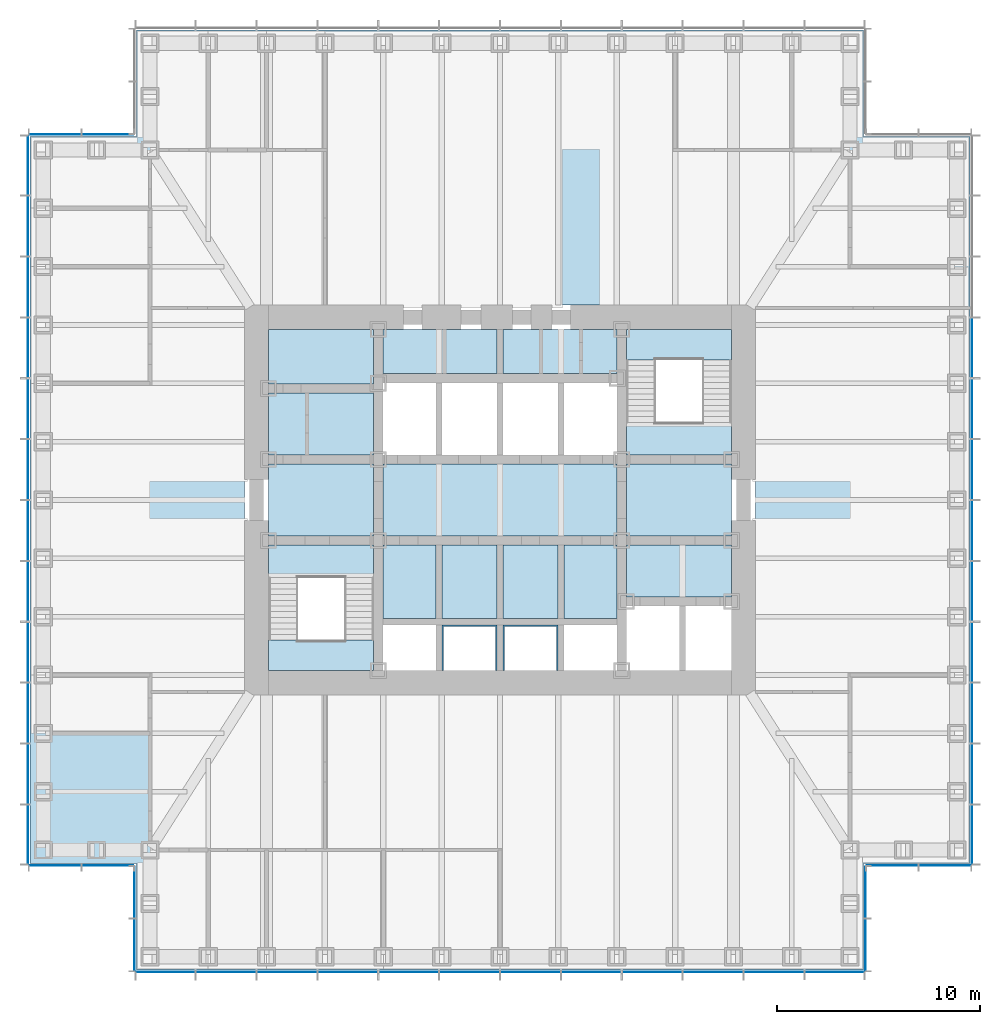
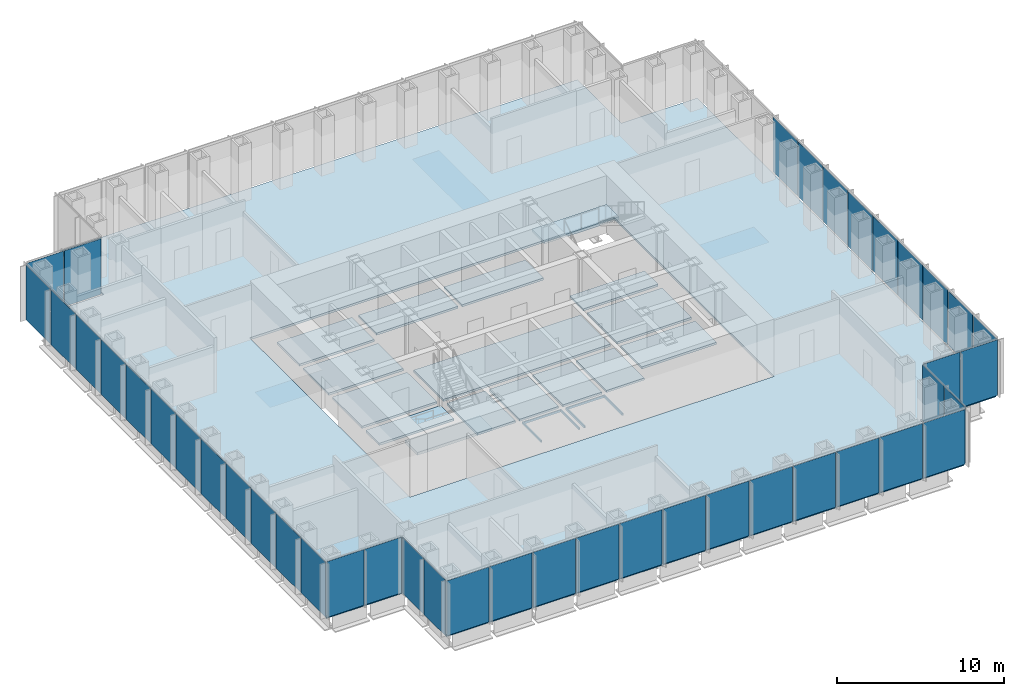
# One storey, part 7 of 17: 43 plates, 19 slabs, 10 elements without a shape of their own.
"""IFC4 building model written with IfcOpenShell, lengths in metres."""

from ifc_helpers import new_model, si_unit, direction, frame, origin, origin_2d, place, context, subcontext, project, spatial, polyline, rectangle, outline, extrude, material, layer, layer_set, type_object, element, aggregate, save


model = new_model("IFC4")

# Units and contexts
model_context = context("Model", 3, precision=1e-05, world=origin(), true_north=direction((0.0, 1.0)))
body_context = subcontext(model_context, "Body", "Model", "MODEL_VIEW")
ifc_project = project(units=[si_unit("LENGTHUNIT", "METRE"), si_unit("AREAUNIT", "SQUARE_METRE"), si_unit("VOLUMEUNIT", "CUBIC_METRE"), si_unit("PLANEANGLEUNIT", "RADIAN"), si_unit("MASSUNIT", "GRAM", prefix="KILO")], contexts=[model_context])

# Site, building, storey
site_placement = place(None, origin())
site = spatial("IfcSite", under=ifc_project, at=site_placement, CompositionType="ELEMENT")
building_placement = place(site_placement, origin())
building = spatial("IfcBuilding", under=site, at=building_placement, Name="Daluyong Arena Tower", CompositionType="ELEMENT")
storey_placement = place(building_placement, frame((0.0, 0.0, 158.5)))
storey = spatial("IfcBuildingStorey", under=building, at=storey_placement, Name="L35", CompositionType="ELEMENT", Elevation=158.5)

# Curtain wall, plates
ifc_material_1 = material(Name="Bronze anodised aluminium and glass", Category="aluminium")
curtain_wall_type_1 = type_object("IfcCurtainWallType", Name="Curtain wall CW2", PredefinedType="USERDEFINED", material=ifc_material_1)
curtain_wall_1_placement = place(storey_placement, origin())
curtain_wall_1 = element("IfcCurtainWall", 1, at=curtain_wall_1_placement, inside=storey, type_object=curtain_wall_type_1, Name="curtain wall L35 S", ObjectType="UNITISED CURTAIN WALL", PredefinedType="USERDEFINED")
ifc_material_2 = material(Name="Tinted double glazed unit", Category="glass")
ifc_layer_1 = layer(ifc_material_2, 0.031982421875)
ifc_layer_set_1 = layer_set([ifc_layer_1], Name="Tinted double glazed unit")
plate_type_1 = type_object("IfcPlateType", Name="CW2 panel 32", PredefinedType="CURTAIN_PANEL", material=ifc_layer_set_1)
plate_1_placement = place(storey_placement, frame((39.52001953125, 56.75, 0.0), z_axis=(0.0, 0.0, 1.0), x_axis=(1.0, 0.0, 0.0)))
plate_1 = element("IfcPlate", 2, at=plate_1_placement, type_object=plate_type_1, Name="curtain wall L35 S panel 1", PredefinedType="CURTAIN_PANEL", context=body_context, shape_type="SweptSolid", body=[
    extrude(rectangle(XDim=2.8798828125, YDim=0.031982421875, at=origin_2d()), origin(), (0.0, 0.0, 1.0), 4.02001953125),
])
plate_2_placement = place(storey_placement, frame((42.5, 56.75, 0.0), z_axis=(0.0, 0.0, 1.0), x_axis=(1.0, 0.0, 0.0)))
plate_2 = element("IfcPlate", 3, at=plate_2_placement, type_object=plate_type_1, Name="curtain wall L35 S panel 2", PredefinedType="CURTAIN_PANEL", context=body_context, shape_type="SweptSolid", body=[
    extrude(rectangle(XDim=2.919921875, YDim=0.031982421875, at=origin_2d()), origin(), (0.0, 0.0, 1.0), 4.02001953125),
])
plate_3_placement = place(storey_placement, frame((45.5, 56.75, 0.0), z_axis=(0.0, 0.0, 1.0), x_axis=(1.0, 0.0, 0.0)))
plate_3 = element("IfcPlate", 4, at=plate_3_placement, type_object=plate_type_1, Name="curtain wall L35 S panel 3", PredefinedType="CURTAIN_PANEL", context=body_context, shape_type="SweptSolid", body=[
    extrude(rectangle(XDim=2.919921875, YDim=0.031982421875, at=origin_2d()), origin(), (0.0, 0.0, 1.0), 4.02001953125),
])
plate_4_placement = place(storey_placement, frame((48.5, 56.75, 0.0), z_axis=(0.0, 0.0, 1.0), x_axis=(1.0, 0.0, 0.0)))
plate_4 = element("IfcPlate", 5, at=plate_4_placement, type_object=plate_type_1, Name="curtain wall L35 S panel 4", PredefinedType="CURTAIN_PANEL", context=body_context, shape_type="SweptSolid", body=[
    extrude(rectangle(XDim=2.919921875, YDim=0.031982421875, at=origin_2d()), origin(), (0.0, 0.0, 1.0), 4.02001953125),
])
plate_5_placement = place(storey_placement, frame((51.5, 56.75, 0.0), z_axis=(0.0, 0.0, 1.0), x_axis=(1.0, 0.0, 0.0)))
plate_5 = element("IfcPlate", 6, at=plate_5_placement, type_object=plate_type_1, Name="curtain wall L35 S panel 5", PredefinedType="CURTAIN_PANEL", context=body_context, shape_type="SweptSolid", body=[
    extrude(rectangle(XDim=2.919921875, YDim=0.031982421875, at=origin_2d()), origin(), (0.0, 0.0, 1.0), 4.02001953125),
])
plate_6_placement = place(storey_placement, frame((54.5, 56.75, 0.0), z_axis=(0.0, 0.0, 1.0), x_axis=(1.0, 0.0, 0.0)))
plate_6 = element("IfcPlate", 7, at=plate_6_placement, type_object=plate_type_1, Name="curtain wall L35 S panel 6", PredefinedType="CURTAIN_PANEL", context=body_context, shape_type="SweptSolid", body=[
    extrude(rectangle(XDim=2.919921875, YDim=0.031982421875, at=origin_2d()), origin(), (0.0, 0.0, 1.0), 4.02001953125),
])
plate_7_placement = place(storey_placement, frame((57.5, 56.75, 0.0), z_axis=(0.0, 0.0, 1.0), x_axis=(1.0, 0.0, 0.0)))
plate_7 = element("IfcPlate", 8, at=plate_7_placement, type_object=plate_type_1, Name="curtain wall L35 S panel 7", PredefinedType="CURTAIN_PANEL", context=body_context, shape_type="SweptSolid", body=[
    extrude(rectangle(XDim=2.919921875, YDim=0.031982421875, at=origin_2d()), origin(), (0.0, 0.0, 1.0), 4.02001953125),
])
plate_8_placement = place(storey_placement, frame((60.5, 56.75, 0.0), z_axis=(0.0, 0.0, 1.0), x_axis=(1.0, 0.0, 0.0)))
plate_8 = element("IfcPlate", 9, at=plate_8_placement, type_object=plate_type_1, Name="curtain wall L35 S panel 8", PredefinedType="CURTAIN_PANEL", context=body_context, shape_type="SweptSolid", body=[
    extrude(rectangle(XDim=2.919921875, YDim=0.031982421875, at=origin_2d()), origin(), (0.0, 0.0, 1.0), 4.02001953125),
])
plate_9_placement = place(storey_placement, frame((63.5, 56.75, 0.0), z_axis=(0.0, 0.0, 1.0), x_axis=(1.0, 0.0, 0.0)))
plate_9 = element("IfcPlate", 10, at=plate_9_placement, type_object=plate_type_1, Name="curtain wall L35 S panel 9", PredefinedType="CURTAIN_PANEL", context=body_context, shape_type="SweptSolid", body=[
    extrude(rectangle(XDim=2.919921875, YDim=0.031982421875, at=origin_2d()), origin(), (0.0, 0.0, 1.0), 4.02001953125),
])
plate_10_placement = place(storey_placement, frame((66.5, 56.75, 0.0), z_axis=(0.0, 0.0, 1.0), x_axis=(1.0, 0.0, 0.0)))
plate_10 = element("IfcPlate", 11, at=plate_10_placement, type_object=plate_type_1, Name="curtain wall L35 S panel 10", PredefinedType="CURTAIN_PANEL", context=body_context, shape_type="SweptSolid", body=[
    extrude(rectangle(XDim=2.919921875, YDim=0.031982421875, at=origin_2d()), origin(), (0.0, 0.0, 1.0), 4.02001953125),
])
plate_11_placement = place(storey_placement, frame((69.5, 56.75, 0.0), z_axis=(0.0, 0.0, 1.0), x_axis=(1.0, 0.0, 0.0)))
plate_11 = element("IfcPlate", 12, at=plate_11_placement, type_object=plate_type_1, Name="curtain wall L35 S panel 11", PredefinedType="CURTAIN_PANEL", context=body_context, shape_type="SweptSolid", body=[
    extrude(rectangle(XDim=2.919921875, YDim=0.031982421875, at=origin_2d()), origin(), (0.0, 0.0, 1.0), 4.02001953125),
])
plate_12_placement = place(storey_placement, frame((72.47998046875, 56.75, 0.0), z_axis=(0.0, 0.0, 1.0), x_axis=(1.0, 0.0, 0.0)))
plate_12 = element("IfcPlate", 13, at=plate_12_placement, type_object=plate_type_1, Name="curtain wall L35 S panel 12", PredefinedType="CURTAIN_PANEL", context=body_context, shape_type="SweptSolid", body=[
    extrude(rectangle(XDim=2.8798828125, YDim=0.031982421875, at=origin_2d()), origin(), (0.0, 0.0, 1.0), 4.02001953125),
])
aggregate(curtain_wall_1, [plate_1, plate_2, plate_3, plate_4, plate_5, plate_6, plate_7, plate_8, plate_9, plate_10, plate_11, plate_12])

curtain_wall_2_placement = place(storey_placement, origin())
curtain_wall_2 = element("IfcCurtainWall", 14, at=curtain_wall_2_placement, inside=storey, type_object=curtain_wall_type_1, Name="curtain wall L35 E", ObjectType="UNITISED CURTAIN WALL", PredefinedType="USERDEFINED")
plate_13_placement = place(storey_placement, frame((79.25, 63.52001953125, 0.0), z_axis=(0.0, 0.0, 1.0), x_axis=(0.0, 1.0, 0.0)))
plate_13 = element("IfcPlate", 15, at=plate_13_placement, type_object=plate_type_1, Name="curtain wall L35 E panel 1", PredefinedType="CURTAIN_PANEL", context=body_context, shape_type="SweptSolid", body=[
    extrude(rectangle(XDim=2.8798828125, YDim=0.031982421875, at=origin_2d()), origin(), (0.0, 0.0, 1.0), 4.02001953125),
])
plate_14_placement = place(storey_placement, frame((79.25, 66.5, 0.0), z_axis=(0.0, 0.0, 1.0), x_axis=(0.0, 1.0, 0.0)))
plate_14 = element("IfcPlate", 16, at=plate_14_placement, type_object=plate_type_1, Name="curtain wall L35 E panel 2", PredefinedType="CURTAIN_PANEL", context=body_context, shape_type="SweptSolid", body=[
    extrude(rectangle(XDim=2.919921875, YDim=0.031982421875, at=origin_2d()), origin(), (0.0, 0.0, 1.0), 4.02001953125),
])
plate_15_placement = place(storey_placement, frame((79.25, 69.5, 0.0), z_axis=(0.0, 0.0, 1.0), x_axis=(0.0, 1.0, 0.0)))
plate_15 = element("IfcPlate", 17, at=plate_15_placement, type_object=plate_type_1, Name="curtain wall L35 E panel 3", PredefinedType="CURTAIN_PANEL", context=body_context, shape_type="SweptSolid", body=[
    extrude(rectangle(XDim=2.919921875, YDim=0.031982421875, at=origin_2d()), origin(), (0.0, 0.0, 1.0), 4.02001953125),
])
plate_16_placement = place(storey_placement, frame((79.25, 72.5, 0.0), z_axis=(0.0, 0.0, 1.0), x_axis=(0.0, 1.0, 0.0)))
plate_16 = element("IfcPlate", 18, at=plate_16_placement, type_object=plate_type_1, Name="curtain wall L35 E panel 4", PredefinedType="CURTAIN_PANEL", context=body_context, shape_type="SweptSolid", body=[
    extrude(rectangle(XDim=2.919921875, YDim=0.031982421875, at=origin_2d()), origin(), (0.0, 0.0, 1.0), 4.02001953125),
])
plate_17_placement = place(storey_placement, frame((79.25, 75.5, 0.0), z_axis=(0.0, 0.0, 1.0), x_axis=(0.0, 1.0, 0.0)))
plate_17 = element("IfcPlate", 19, at=plate_17_placement, type_object=plate_type_1, Name="curtain wall L35 E panel 5", PredefinedType="CURTAIN_PANEL", context=body_context, shape_type="SweptSolid", body=[
    extrude(rectangle(XDim=2.919921875, YDim=0.031982421875, at=origin_2d()), origin(), (0.0, 0.0, 1.0), 4.02001953125),
])
plate_18_placement = place(storey_placement, frame((79.25, 78.5, 0.0), z_axis=(0.0, 0.0, 1.0), x_axis=(0.0, 1.0, 0.0)))
plate_18 = element("IfcPlate", 20, at=plate_18_placement, type_object=plate_type_1, Name="curtain wall L35 E panel 6", PredefinedType="CURTAIN_PANEL", context=body_context, shape_type="SweptSolid", body=[
    extrude(rectangle(XDim=2.919921875, YDim=0.031982421875, at=origin_2d()), origin(), (0.0, 0.0, 1.0), 4.02001953125),
])
plate_19_placement = place(storey_placement, frame((79.25, 81.5, 0.0), z_axis=(0.0, 0.0, 1.0), x_axis=(0.0, 1.0, 0.0)))
plate_19 = element("IfcPlate", 21, at=plate_19_placement, type_object=plate_type_1, Name="curtain wall L35 E panel 7", PredefinedType="CURTAIN_PANEL", context=body_context, shape_type="SweptSolid", body=[
    extrude(rectangle(XDim=2.919921875, YDim=0.031982421875, at=origin_2d()), origin(), (0.0, 0.0, 1.0), 4.02001953125),
])
plate_20_placement = place(storey_placement, frame((79.25, 84.5, 0.0), z_axis=(0.0, 0.0, 1.0), x_axis=(0.0, 1.0, 0.0)))
plate_20 = element("IfcPlate", 22, at=plate_20_placement, type_object=plate_type_1, Name="curtain wall L35 E panel 8", PredefinedType="CURTAIN_PANEL", context=body_context, shape_type="SweptSolid", body=[
    extrude(rectangle(XDim=2.919921875, YDim=0.031982421875, at=origin_2d()), origin(), (0.0, 0.0, 1.0), 4.02001953125),
])
plate_21_placement = place(storey_placement, frame((79.25, 87.5, 0.0), z_axis=(0.0, 0.0, 1.0), x_axis=(0.0, 1.0, 0.0)))
plate_21 = element("IfcPlate", 23, at=plate_21_placement, type_object=plate_type_1, Name="curtain wall L35 E panel 9", PredefinedType="CURTAIN_PANEL", context=body_context, shape_type="SweptSolid", body=[
    extrude(rectangle(XDim=2.919921875, YDim=0.031982421875, at=origin_2d()), origin(), (0.0, 0.0, 1.0), 4.02001953125),
])
aggregate(curtain_wall_2, [plate_13, plate_14, plate_15, plate_16, plate_17, plate_18, plate_19, plate_20, plate_21])

curtain_wall_3_placement = place(storey_placement, origin())
curtain_wall_3 = element("IfcCurtainWall", 24, at=curtain_wall_3_placement, inside=storey, type_object=curtain_wall_type_1, Name="curtain wall L35 W", ObjectType="UNITISED CURTAIN WALL", PredefinedType="USERDEFINED")
plate_22_placement = place(storey_placement, frame((32.75, 96.47998046875, 0.0), z_axis=(0.0, 0.0, 1.0), x_axis=(0.0, -1.0, 0.0)))
plate_22 = element("IfcPlate", 25, at=plate_22_placement, type_object=plate_type_1, Name="curtain wall L35 W panel 1", PredefinedType="CURTAIN_PANEL", context=body_context, shape_type="SweptSolid", body=[
    extrude(rectangle(XDim=2.8798828125, YDim=0.031982421875, at=origin_2d()), origin(), (0.0, 0.0, 1.0), 4.02001953125),
])
plate_23_placement = place(storey_placement, frame((32.75, 93.5, 0.0), z_axis=(0.0, 0.0, 1.0), x_axis=(0.0, -1.0, 0.0)))
plate_23 = element("IfcPlate", 26, at=plate_23_placement, type_object=plate_type_1, Name="curtain wall L35 W panel 2", PredefinedType="CURTAIN_PANEL", context=body_context, shape_type="SweptSolid", body=[
    extrude(rectangle(XDim=2.919921875, YDim=0.031982421875, at=origin_2d()), origin(), (0.0, 0.0, 1.0), 4.02001953125),
])
plate_24_placement = place(storey_placement, frame((32.75, 90.5, 0.0), z_axis=(0.0, 0.0, 1.0), x_axis=(0.0, -1.0, 0.0)))
plate_24 = element("IfcPlate", 27, at=plate_24_placement, type_object=plate_type_1, Name="curtain wall L35 W panel 3", PredefinedType="CURTAIN_PANEL", context=body_context, shape_type="SweptSolid", body=[
    extrude(rectangle(XDim=2.919921875, YDim=0.031982421875, at=origin_2d()), origin(), (0.0, 0.0, 1.0), 4.02001953125),
])
plate_25_placement = place(storey_placement, frame((32.75, 87.5, 0.0), z_axis=(0.0, 0.0, 1.0), x_axis=(0.0, -1.0, 0.0)))
plate_25 = element("IfcPlate", 28, at=plate_25_placement, type_object=plate_type_1, Name="curtain wall L35 W panel 4", PredefinedType="CURTAIN_PANEL", context=body_context, shape_type="SweptSolid", body=[
    extrude(rectangle(XDim=2.919921875, YDim=0.031982421875, at=origin_2d()), origin(), (0.0, 0.0, 1.0), 4.02001953125),
])
plate_26_placement = place(storey_placement, frame((32.75, 84.5, 0.0), z_axis=(0.0, 0.0, 1.0), x_axis=(0.0, -1.0, 0.0)))
plate_26 = element("IfcPlate", 29, at=plate_26_placement, type_object=plate_type_1, Name="curtain wall L35 W panel 5", PredefinedType="CURTAIN_PANEL", context=body_context, shape_type="SweptSolid", body=[
    extrude(rectangle(XDim=2.919921875, YDim=0.031982421875, at=origin_2d()), origin(), (0.0, 0.0, 1.0), 4.02001953125),
])
plate_27_placement = place(storey_placement, frame((32.75, 81.5, 0.0), z_axis=(0.0, 0.0, 1.0), x_axis=(0.0, -1.0, 0.0)))
plate_27 = element("IfcPlate", 30, at=plate_27_placement, type_object=plate_type_1, Name="curtain wall L35 W panel 6", PredefinedType="CURTAIN_PANEL", context=body_context, shape_type="SweptSolid", body=[
    extrude(rectangle(XDim=2.919921875, YDim=0.031982421875, at=origin_2d()), origin(), (0.0, 0.0, 1.0), 4.02001953125),
])
plate_28_placement = place(storey_placement, frame((32.75, 78.5, 0.0), z_axis=(0.0, 0.0, 1.0), x_axis=(0.0, -1.0, 0.0)))
plate_28 = element("IfcPlate", 31, at=plate_28_placement, type_object=plate_type_1, Name="curtain wall L35 W panel 7", PredefinedType="CURTAIN_PANEL", context=body_context, shape_type="SweptSolid", body=[
    extrude(rectangle(XDim=2.919921875, YDim=0.031982421875, at=origin_2d()), origin(), (0.0, 0.0, 1.0), 4.02001953125),
])
plate_29_placement = place(storey_placement, frame((32.75, 75.5, 0.0), z_axis=(0.0, 0.0, 1.0), x_axis=(0.0, -1.0, 0.0)))
plate_29 = element("IfcPlate", 32, at=plate_29_placement, type_object=plate_type_1, Name="curtain wall L35 W panel 8", PredefinedType="CURTAIN_PANEL", context=body_context, shape_type="SweptSolid", body=[
    extrude(rectangle(XDim=2.919921875, YDim=0.031982421875, at=origin_2d()), origin(), (0.0, 0.0, 1.0), 4.02001953125),
])
plate_30_placement = place(storey_placement, frame((32.75, 72.5, 0.0), z_axis=(0.0, 0.0, 1.0), x_axis=(0.0, -1.0, 0.0)))
plate_30 = element("IfcPlate", 33, at=plate_30_placement, type_object=plate_type_1, Name="curtain wall L35 W panel 9", PredefinedType="CURTAIN_PANEL", context=body_context, shape_type="SweptSolid", body=[
    extrude(rectangle(XDim=2.919921875, YDim=0.031982421875, at=origin_2d()), origin(), (0.0, 0.0, 1.0), 4.02001953125),
])
plate_31_placement = place(storey_placement, frame((32.75, 69.5, 0.0), z_axis=(0.0, 0.0, 1.0), x_axis=(0.0, -1.0, 0.0)))
plate_31 = element("IfcPlate", 34, at=plate_31_placement, type_object=plate_type_1, Name="curtain wall L35 W panel 10", PredefinedType="CURTAIN_PANEL", context=body_context, shape_type="SweptSolid", body=[
    extrude(rectangle(XDim=2.919921875, YDim=0.031982421875, at=origin_2d()), origin(), (0.0, 0.0, 1.0), 4.02001953125),
])
plate_32_placement = place(storey_placement, frame((32.75, 66.5, 0.0), z_axis=(0.0, 0.0, 1.0), x_axis=(0.0, -1.0, 0.0)))
plate_32 = element("IfcPlate", 35, at=plate_32_placement, type_object=plate_type_1, Name="curtain wall L35 W panel 11", PredefinedType="CURTAIN_PANEL", context=body_context, shape_type="SweptSolid", body=[
    extrude(rectangle(XDim=2.919921875, YDim=0.031982421875, at=origin_2d()), origin(), (0.0, 0.0, 1.0), 4.02001953125),
])
plate_33_placement = place(storey_placement, frame((32.75, 63.52001953125, 0.0), z_axis=(0.0, 0.0, 1.0), x_axis=(0.0, -1.0, 0.0)))
plate_33 = element("IfcPlate", 36, at=plate_33_placement, type_object=plate_type_1, Name="curtain wall L35 W panel 12", PredefinedType="CURTAIN_PANEL", context=body_context, shape_type="SweptSolid", body=[
    extrude(rectangle(XDim=2.8798828125, YDim=0.031982421875, at=origin_2d()), origin(), (0.0, 0.0, 1.0), 4.02001953125),
])
aggregate(curtain_wall_3, [plate_22, plate_23, plate_24, plate_25, plate_26, plate_27, plate_28, plate_29, plate_30, plate_31, plate_32, plate_33])

ifc_material_3 = material(Name="Bronze anodised aluminium and glass", Category="aluminium")
curtain_wall_type_2 = type_object("IfcCurtainWallType", Name="Curtain wall CW7", PredefinedType="USERDEFINED", material=ifc_material_3)
curtain_wall_4_placement = place(storey_placement, origin())
curtain_wall_4 = element("IfcCurtainWall", 37, at=curtain_wall_4_placement, inside=storey, type_object=curtain_wall_type_2, Name="curtain wall L35 SE-E", ObjectType="UNITISED CURTAIN WALL", PredefinedType="USERDEFINED")
ifc_material_4 = material(Name="Tinted double glazed unit", Category="glass")
ifc_layer_2 = layer(ifc_material_4, 0.028076171875)
ifc_layer_set_2 = layer_set([ifc_layer_2], Name="Tinted double glazed unit")
plate_type_2 = type_object("IfcPlateType", Name="CW7 panel 28", PredefinedType="CURTAIN_PANEL", material=ifc_layer_set_2)
plate_34_placement = place(storey_placement, frame((74.0, 58.077392578125, 0.0), z_axis=(0.0, 0.0, 1.0), x_axis=(0.0, 1.0, 0.0)))
plate_34 = element("IfcPlate", 38, at=plate_34_placement, type_object=plate_type_2, Name="curtain wall L35 SE-E panel 1", PredefinedType="CURTAIN_PANEL", context=body_context, shape_type="SweptSolid", body=[
    extrude(rectangle(XDim=2.534912109375, YDim=0.028076171875, at=origin_2d()), origin(), (0.0, 0.0, 1.0), 4.080078125),
])
plate_35_placement = place(storey_placement, frame((74.0, 60.672607421875, 0.0), z_axis=(0.0, 0.0, 1.0), x_axis=(0.0, 1.0, 0.0)))
plate_35 = element("IfcPlate", 39, at=plate_35_placement, type_object=plate_type_2, Name="curtain wall L35 SE-E panel 2", PredefinedType="CURTAIN_PANEL", context=body_context, shape_type="SweptSolid", body=[
    extrude(rectangle(XDim=2.534912109375, YDim=0.028076171875, at=origin_2d()), origin(), (0.0, 0.0, 1.0), 4.080078125),
])
aggregate(curtain_wall_4, [plate_34, plate_35])

curtain_wall_5_placement = place(storey_placement, origin())
curtain_wall_5 = element("IfcCurtainWall", 40, at=curtain_wall_5_placement, inside=storey, type_object=curtain_wall_type_2, Name="curtain wall L35 SE-S", ObjectType="UNITISED CURTAIN WALL", PredefinedType="USERDEFINED")
plate_36_placement = place(storey_placement, frame((75.327392578125, 62.0, 0.0), z_axis=(0.0, 0.0, 1.0), x_axis=(1.0, 0.0, 0.0)))
plate_36 = element("IfcPlate", 41, at=plate_36_placement, type_object=plate_type_2, Name="curtain wall L35 SE-S panel 1", PredefinedType="CURTAIN_PANEL", context=body_context, shape_type="SweptSolid", body=[
    extrude(rectangle(XDim=2.534912109375, YDim=0.028076171875, at=origin_2d()), origin(), (0.0, 0.0, 1.0), 4.080078125),
])
plate_37_placement = place(storey_placement, frame((77.922607421875, 62.0, 0.0), z_axis=(0.0, 0.0, 1.0), x_axis=(1.0, 0.0, 0.0)))
plate_37 = element("IfcPlate", 42, at=plate_37_placement, type_object=plate_type_2, Name="curtain wall L35 SE-S panel 2", PredefinedType="CURTAIN_PANEL", context=body_context, shape_type="SweptSolid", body=[
    extrude(rectangle(XDim=2.534912109375, YDim=0.028076171875, at=origin_2d()), origin(), (0.0, 0.0, 1.0), 4.080078125),
])
aggregate(curtain_wall_5, [plate_36, plate_37])

curtain_wall_6_placement = place(storey_placement, origin())
curtain_wall_6 = element("IfcCurtainWall", 43, at=curtain_wall_6_placement, inside=storey, type_object=curtain_wall_type_2, Name="curtain wall L35 NW-N", ObjectType="UNITISED CURTAIN WALL", PredefinedType="USERDEFINED")
plate_38_placement = place(storey_placement, frame((36.672607421875, 98.0, 0.0), z_axis=(0.0, 0.0, 1.0), x_axis=(-1.0, 0.0, 0.0)))
plate_38 = element("IfcPlate", 44, at=plate_38_placement, type_object=plate_type_2, Name="curtain wall L35 NW-N panel 1", PredefinedType="CURTAIN_PANEL", context=body_context, shape_type="SweptSolid", body=[
    extrude(rectangle(XDim=2.534912109375, YDim=0.028076171875, at=origin_2d()), origin(), (0.0, 0.0, 1.0), 4.080078125),
])
plate_39_placement = place(storey_placement, frame((34.077392578125, 98.0, 0.0), z_axis=(0.0, 0.0, 1.0), x_axis=(-1.0, 0.0, 0.0)))
plate_39 = element("IfcPlate", 45, at=plate_39_placement, type_object=plate_type_2, Name="curtain wall L35 NW-N panel 2", PredefinedType="CURTAIN_PANEL", context=body_context, shape_type="SweptSolid", body=[
    extrude(rectangle(XDim=2.534912109375, YDim=0.028076171875, at=origin_2d()), origin(), (0.0, 0.0, 1.0), 4.080078125),
])
aggregate(curtain_wall_6, [plate_38, plate_39])

curtain_wall_7_placement = place(storey_placement, origin())
curtain_wall_7 = element("IfcCurtainWall", 46, at=curtain_wall_7_placement, inside=storey, type_object=curtain_wall_type_2, Name="curtain wall L35 SW-S", ObjectType="UNITISED CURTAIN WALL", PredefinedType="USERDEFINED")
plate_40_placement = place(storey_placement, frame((34.077392578125, 62.0, 0.0), z_axis=(0.0, 0.0, 1.0), x_axis=(1.0, 0.0, 0.0)))
plate_40 = element("IfcPlate", 47, at=plate_40_placement, type_object=plate_type_2, Name="curtain wall L35 SW-S panel 1", PredefinedType="CURTAIN_PANEL", context=body_context, shape_type="SweptSolid", body=[
    extrude(rectangle(XDim=2.534912109375, YDim=0.028076171875, at=origin_2d()), origin(), (0.0, 0.0, 1.0), 4.080078125),
])
plate_41_placement = place(storey_placement, frame((36.672607421875, 62.0, 0.0), z_axis=(0.0, 0.0, 1.0), x_axis=(1.0, 0.0, 0.0)))
plate_41 = element("IfcPlate", 48, at=plate_41_placement, type_object=plate_type_2, Name="curtain wall L35 SW-S panel 2", PredefinedType="CURTAIN_PANEL", context=body_context, shape_type="SweptSolid", body=[
    extrude(rectangle(XDim=2.534912109375, YDim=0.028076171875, at=origin_2d()), origin(), (0.0, 0.0, 1.0), 4.080078125),
])
aggregate(curtain_wall_7, [plate_40, plate_41])

curtain_wall_8_placement = place(storey_placement, origin())
curtain_wall_8 = element("IfcCurtainWall", 49, at=curtain_wall_8_placement, inside=storey, type_object=curtain_wall_type_2, Name="curtain wall L35 SW-W", ObjectType="UNITISED CURTAIN WALL", PredefinedType="USERDEFINED")
plate_42_placement = place(storey_placement, frame((38.0, 60.672607421875, 0.0), z_axis=(0.0, 0.0, 1.0), x_axis=(0.0, -1.0, 0.0)))
plate_42 = element("IfcPlate", 50, at=plate_42_placement, type_object=plate_type_2, Name="curtain wall L35 SW-W panel 1", PredefinedType="CURTAIN_PANEL", context=body_context, shape_type="SweptSolid", body=[
    extrude(rectangle(XDim=2.534912109375, YDim=0.028076171875, at=origin_2d()), origin(), (0.0, 0.0, 1.0), 4.080078125),
])
plate_43_placement = place(storey_placement, frame((38.0, 58.077392578125, 0.0), z_axis=(0.0, 0.0, 1.0), x_axis=(0.0, -1.0, 0.0)))
plate_43 = element("IfcPlate", 51, at=plate_43_placement, type_object=plate_type_2, Name="curtain wall L35 SW-W panel 2", PredefinedType="CURTAIN_PANEL", context=body_context, shape_type="SweptSolid", body=[
    extrude(rectangle(XDim=2.534912109375, YDim=0.028076171875, at=origin_2d()), origin(), (0.0, 0.0, 1.0), 4.080078125),
])
aggregate(curtain_wall_8, [plate_42, plate_43])

# Stair, slab
ifc_material_5 = material(Name="Concrete fc' 35 MPa", Category="concrete")
stair_type = type_object("IfcStairType", Name="Core exit stair", PredefinedType="HALF_TURN_STAIR", material=ifc_material_5)
stair_1_placement = place(storey_placement, origin())
stair_1 = element("IfcStair", 52, at=stair_1_placement, inside=storey, type_object=stair_type, Name="exit stair A L35", PredefinedType="HALF_TURN_STAIR")
ifc_material_6 = material(Name="Concrete fc' 35 MPa", Category="concrete")
ifc_layer_3 = layer(ifc_material_6, 0.199951171875)
ifc_layer_set_3 = layer_set([ifc_layer_3], Name="Concrete fc' 35 MPa")
slab_type_1 = type_object("IfcSlabType", Name="Stair landing 200", PredefinedType="LANDING", material=ifc_layer_set_3)
slab_1_placement = place(storey_placement, frame((0.0, 0.0, 1.89990234375)))
slab_1 = element("IfcSlab", 53, at=slab_1_placement, type_object=slab_type_1, Name="STA landing 1", PredefinedType="LANDING", context=body_context, shape_type="SweptSolid", body=[
    extrude(outline(polyline([(44.60009765625, 71.60009765625), (49.77490234375, 71.60009765625), (49.77490234375, 73.094970703125), (44.60009765625, 73.094970703125), (44.60009765625, 71.60009765625)])), origin(), (0.0, 0.0, 1.0), 0.2001953125),
])
aggregate(stair_1, [slab_1])

stair_2_placement = place(storey_placement, origin())
stair_2 = element("IfcStair", 54, at=stair_2_placement, inside=storey, type_object=stair_type, Name="exit stair B L35", PredefinedType="HALF_TURN_STAIR")
slab_2_placement = place(storey_placement, frame((0.0, 0.0, 1.89990234375)))
slab_2 = element("IfcSlab", 55, at=slab_2_placement, type_object=slab_type_1, Name="STB landing 1", PredefinedType="LANDING", context=body_context, shape_type="SweptSolid", body=[
    extrude(outline(polyline([(62.22509765625, 86.905029296875), (67.39990234375, 86.905029296875), (67.39990234375, 88.39990234375), (62.22509765625, 88.39990234375), (62.22509765625, 86.905029296875)])), origin(), (0.0, 0.0, 1.0), 0.2001953125),
])
aggregate(stair_2, [slab_2])

# Slabs
ifc_material_7 = material(Name="Concrete fc' 35 MPa", Category="concrete")
ifc_layer_4 = layer(ifc_material_7, 0.159912109375)
ifc_layer_set_4 = layer_set([ifc_layer_4], Name="Concrete fc' 35 MPa")
slab_type_2 = type_object("IfcSlabType", Name="Tower floor slab 160", PredefinedType="FLOOR", material=ifc_layer_set_4)
slab_3_placement = place(storey_placement, frame((0.0, 0.0, -0.159912109375)))
element("IfcSlab", 56, at=slab_3_placement, inside=storey, type_object=slab_type_2, Name="floor L35 part 1", PredefinedType="FLOOR", context=body_context, shape_type="SweptSolid", body=[
    extrude(outline(polyline([(49.77490234375, 76.175048828125), (49.77490234375, 77.77490234375), (44.60009765625, 77.77490234375), (44.60009765625, 76.175048828125), (49.77490234375, 76.175048828125)])), origin(), (0.0, 0.0, 1.0), 0.159912109375),
])
slab_4_placement = place(storey_placement, frame((0.0, 0.0, -0.159912109375)))
element("IfcSlab", 57, at=slab_4_placement, inside=storey, type_object=slab_type_2, Name="floor L35 part 2", PredefinedType="FLOOR", context=body_context, shape_type="SweptSolid", body=[
    extrude(outline(polyline([(44.60009765625, 78.22509765625), (49.77490234375, 78.22509765625), (49.77490234375, 81.77490234375), (44.60009765625, 81.77490234375), (44.60009765625, 78.22509765625)])), origin(), (0.0, 0.0, 1.0), 0.159912109375),
])
slab_5_placement = place(storey_placement, frame((0.0, 0.0, -0.159912109375)))
element("IfcSlab", 58, at=slab_5_placement, inside=storey, type_object=slab_type_2, Name="floor L35 part 3", PredefinedType="FLOOR", context=body_context, shape_type="SweptSolid", body=[
    extrude(outline(polyline([(44.60009765625, 82.22509765625), (49.77490234375, 82.22509765625), (49.77490234375, 85.27490234375), (44.60009765625, 85.27490234375), (44.60009765625, 82.22509765625)])), origin(), (0.0, 0.0, 1.0), 0.159912109375),
])
slab_6_placement = place(storey_placement, frame((0.0, 0.0, -0.159912109375)))
element("IfcSlab", 59, at=slab_6_placement, inside=storey, type_object=slab_type_2, Name="floor L35 part 4", PredefinedType="FLOOR", context=body_context, shape_type="SweptSolid", body=[
    extrude(outline(polyline([(49.77490234375, 88.39990234375), (44.60009765625, 88.39990234375), (44.60009765625, 85.72509765625), (49.77490234375, 85.72509765625), (49.77490234375, 88.39990234375)])), origin(), (0.0, 0.0, 1.0), 0.159912109375),
])
slab_7_placement = place(storey_placement, frame((0.0, 0.0, -0.159912109375)))
element("IfcSlab", 60, at=slab_7_placement, inside=storey, type_object=slab_type_2, Name="floor L35 part 5", PredefinedType="FLOOR", context=body_context, shape_type="SweptSolid", body=[
    extrude(outline(polyline([(52.85009765625, 77.77490234375), (50.22509765625, 77.77490234375), (50.22509765625, 74.14990234375), (52.85009765625, 74.14990234375), (52.85009765625, 77.77490234375)])), origin(), (0.0, 0.0, 1.0), 0.159912109375),
])
slab_8_placement = place(storey_placement, frame((0.0, 0.0, -0.159912109375)))
element("IfcSlab", 61, at=slab_8_placement, inside=storey, type_object=slab_type_2, Name="floor L35 part 6", PredefinedType="FLOOR", context=body_context, shape_type="SweptSolid", body=[
    extrude(outline(polyline([(55.85009765625, 88.39990234375), (50.22509765625, 88.39990234375), (50.22509765625, 86.22509765625), (55.85009765625, 86.22509765625), (55.85009765625, 88.39990234375)])), origin(), (0.0, 0.0, 1.0), 0.159912109375),
])
slab_9_placement = place(storey_placement, frame((0.0, 0.0, -0.159912109375)))
element("IfcSlab", 62, at=slab_9_placement, inside=storey, type_object=slab_type_2, Name="floor L35 part 7", PredefinedType="FLOOR", context=body_context, shape_type="SweptSolid", body=[
    extrude(outline(polyline([(55.77490234375, 73.77490234375), (55.77490234375, 71.60009765625), (55.85009765625, 71.60009765625), (55.85009765625, 73.85009765625), (53.14990234375, 73.85009765625), (53.14990234375, 71.60009765625), (53.22509765625, 71.60009765625), (53.22509765625, 73.77490234375), (55.77490234375, 73.77490234375)])), origin(), (0.0, 0.0, 1.0), 0.159912109375),
])
slab_10_placement = place(storey_placement, frame((0.0, 0.0, -0.159912109375)))
element("IfcSlab", 63, at=slab_10_placement, inside=storey, type_object=slab_type_2, Name="floor L35 part 8", PredefinedType="FLOOR", context=body_context, shape_type="SweptSolid", body=[
    extrude(outline(polyline([(55.85009765625, 77.77490234375), (53.14990234375, 77.77490234375), (53.14990234375, 74.14990234375), (55.85009765625, 74.14990234375), (55.85009765625, 77.77490234375)])), origin(), (0.0, 0.0, 1.0), 0.159912109375),
])
slab_11_placement = place(storey_placement, frame((0.0, 0.0, -0.159912109375)))
element("IfcSlab", 64, at=slab_11_placement, inside=storey, type_object=slab_type_2, Name="floor L35 part 9", PredefinedType="FLOOR", context=body_context, shape_type="SweptSolid", body=[
    extrude(outline(polyline([(38.10009765625, 62.10009765625), (38.10009765625, 56.85009765625), (73.89990234375, 56.85009765625), (73.89990234375, 62.10009765625), (79.14990234375, 62.10009765625), (79.14990234375, 97.89990234375), (73.89990234375, 97.89990234375), (73.89990234375, 103.14990234375), (38.10009765625, 103.14990234375), (38.10009765625, 97.89990234375), (32.85009765625, 97.89990234375), (32.85009765625, 62.10009765625), (38.10009765625, 62.10009765625)]), holes=[polyline([(68.60009765625, 89.60009765625), (68.60009765625, 70.39990234375), (43.39990234375, 70.39990234375), (43.39990234375, 89.60009765625), (68.60009765625, 89.60009765625)])]), origin(), (0.0, 0.0, 1.0), 0.159912109375),
])
slab_12_placement = place(storey_placement, frame((0.0, 0.0, -0.159912109375)))
element("IfcSlab", 65, at=slab_12_placement, inside=storey, type_object=slab_type_2, Name="floor L35 part 10", PredefinedType="FLOOR", context=body_context, shape_type="SweptSolid", body=[
    extrude(outline(polyline([(61.77490234375, 78.22509765625), (61.77490234375, 81.77490234375), (50.22509765625, 81.77490234375), (50.22509765625, 78.22509765625), (61.77490234375, 78.22509765625)])), origin(), (0.0, 0.0, 1.0), 0.159912109375),
])
slab_13_placement = place(storey_placement, frame((0.0, 0.0, -0.159912109375)))
element("IfcSlab", 66, at=slab_13_placement, inside=storey, type_object=slab_type_2, Name="floor L35 part 11", PredefinedType="FLOOR", context=body_context, shape_type="SweptSolid", body=[
    extrude(outline(polyline([(58.85009765625, 71.60009765625), (58.85009765625, 73.85009765625), (56.14990234375, 73.85009765625), (56.14990234375, 71.60009765625), (56.22509765625, 71.60009765625), (56.22509765625, 73.77490234375), (58.77490234375, 73.77490234375), (58.77490234375, 71.60009765625), (58.85009765625, 71.60009765625)])), origin(), (0.0, 0.0, 1.0), 0.159912109375),
])
slab_14_placement = place(storey_placement, frame((0.0, 0.0, -0.159912109375)))
element("IfcSlab", 67, at=slab_14_placement, inside=storey, type_object=slab_type_2, Name="floor L35 part 12", PredefinedType="FLOOR", context=body_context, shape_type="SweptSolid", body=[
    extrude(outline(polyline([(58.85009765625, 77.77490234375), (56.14990234375, 77.77490234375), (56.14990234375, 74.14990234375), (58.85009765625, 74.14990234375), (58.85009765625, 77.77490234375)])), origin(), (0.0, 0.0, 1.0), 0.159912109375),
])
slab_15_placement = place(storey_placement, frame((0.0, 0.0, -0.159912109375)))
element("IfcSlab", 68, at=slab_15_placement, inside=storey, type_object=slab_type_2, Name="floor L35 part 13", PredefinedType="FLOOR", context=body_context, shape_type="SweptSolid", body=[
    extrude(outline(polyline([(56.14990234375, 88.39990234375), (56.14990234375, 86.22509765625), (61.77490234375, 86.22509765625), (61.77490234375, 88.39990234375), (56.14990234375, 88.39990234375)])), origin(), (0.0, 0.0, 1.0), 0.159912109375),
])
slab_16_placement = place(storey_placement, frame((0.0, 0.0, -0.159912109375)))
element("IfcSlab", 69, at=slab_16_placement, inside=storey, type_object=slab_type_2, Name="floor L35 part 14", PredefinedType="FLOOR", context=body_context, shape_type="SweptSolid", body=[
    extrude(outline(polyline([(59.14990234375, 77.77490234375), (59.14990234375, 74.14990234375), (61.77490234375, 74.14990234375), (61.77490234375, 77.77490234375), (59.14990234375, 77.77490234375)])), origin(), (0.0, 0.0, 1.0), 0.159912109375),
])
slab_17_placement = place(storey_placement, frame((0.0, 0.0, -0.159912109375)))
element("IfcSlab", 70, at=slab_17_placement, inside=storey, type_object=slab_type_2, Name="floor L35 part 15", PredefinedType="FLOOR", context=body_context, shape_type="SweptSolid", body=[
    extrude(outline(polyline([(62.22509765625, 75.22509765625), (67.39990234375, 75.22509765625), (67.39990234375, 77.77490234375), (62.22509765625, 77.77490234375), (62.22509765625, 75.22509765625)])), origin(), (0.0, 0.0, 1.0), 0.159912109375),
])
slab_18_placement = place(storey_placement, frame((0.0, 0.0, -0.159912109375)))
element("IfcSlab", 71, at=slab_18_placement, inside=storey, type_object=slab_type_2, Name="floor L35 part 16", PredefinedType="FLOOR", context=body_context, shape_type="SweptSolid", body=[
    extrude(outline(polyline([(62.22509765625, 78.22509765625), (67.39990234375, 78.22509765625), (67.39990234375, 81.77490234375), (62.22509765625, 81.77490234375), (62.22509765625, 78.22509765625)])), origin(), (0.0, 0.0, 1.0), 0.159912109375),
])
slab_19_placement = place(storey_placement, frame((0.0, 0.0, -0.159912109375)))
element("IfcSlab", 72, at=slab_19_placement, inside=storey, type_object=slab_type_2, Name="floor L35 part 17", PredefinedType="FLOOR", context=body_context, shape_type="SweptSolid", body=[
    extrude(outline(polyline([(62.22509765625, 82.22509765625), (67.39990234375, 82.22509765625), (67.39990234375, 83.824951171875), (62.22509765625, 83.824951171875), (62.22509765625, 82.22509765625)])), origin(), (0.0, 0.0, 1.0), 0.159912109375),
])

save(model, "model.ifc")
